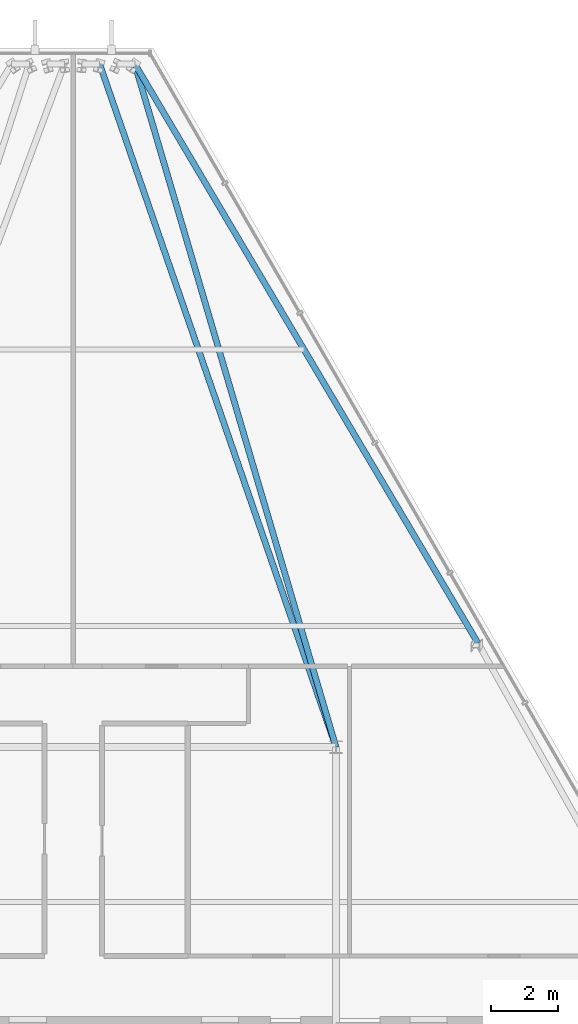
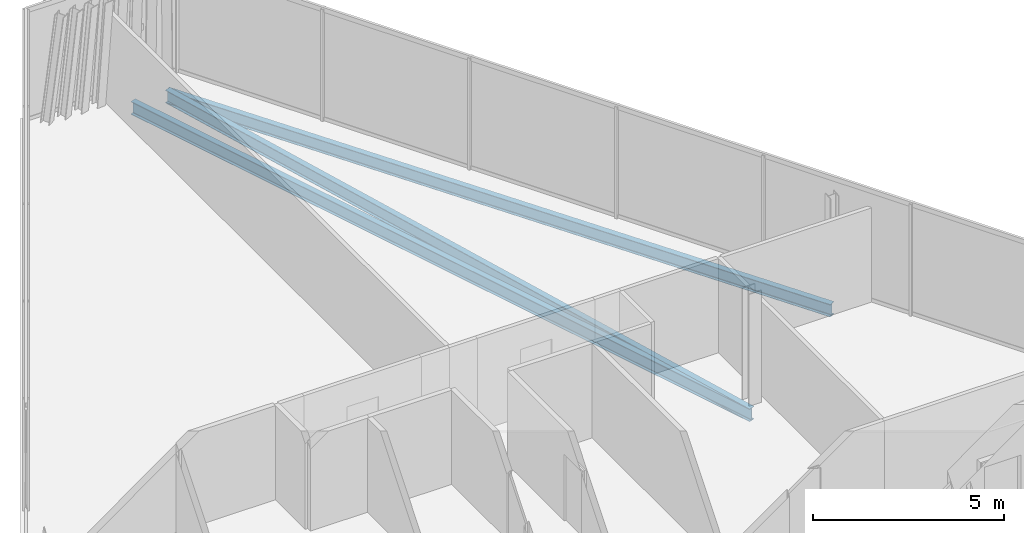
# One storey, part 18 of 32: 3 beams.
"""IFC4 building model written with IfcOpenShell, lengths in metres."""

import ifcopenshell
import ifcopenshell.guid

model = None  # the IFC model being written
_history = None  # IfcOwnerHistory: only IFC2X3 demands one
_inside = {}  # id of a spatial element -> (the spatial element, [elements in it])
_under = {}  # id of a project, library or spatial element -> (it, [spatial elements below it])
_declared = {}  # id of a project -> (the project, [libraries it declares])
_typed = {}  # id of a type object -> (the type object, [elements of that type])
_made_of = {}  # id of a material, layer set ... -> (it, [elements and type objects made of it])


def new_model(schema):
    """Start an empty IFC model of exactly this schema.

    Asked for "IFC4X3", IfcOpenShell would pick the latest addendum, in which some entities
    have other attributes; the version numbers below select the first issue.
    IFC2X3 requires an IfcOwnerHistory on every rooted entity: one is made here for all.
    """
    global model, _history
    if schema == "IFC4X3":
        model = ifcopenshell.file(schema_version=(4, 3, 0, 0))
    else:
        model = ifcopenshell.file(schema=schema)
    _inside.clear()
    _under.clear()
    _declared.clear()
    _typed.clear()
    _made_of.clear()
    _history = None
    if model.schema == "IFC2X3":
        org = make("IfcOrganization", Name="unknown")
        user = make(
            "IfcPersonAndOrganization",
            ThePerson=make("IfcPerson", FamilyName="unknown"),
            TheOrganization=org,
        )
        app = make(
            "IfcApplication",
            ApplicationDeveloper=org,
            Version="unknown",
            ApplicationFullName="unknown",
            ApplicationIdentifier="unknown",
        )
        _history = make(
            "IfcOwnerHistory",
            OwningUser=user,
            OwningApplication=app,
            ChangeAction="ADDED",
            CreationDate=0,
        )
    return model


def make(cls, **values):
    """One entity of the class cls with the attributes given. An attribute that is None is left unset."""
    return model.create_entity(
        cls, **{name: value for name, value in values.items() if value is not None}
    )


def rooted(cls, **values):
    """An entity with a GlobalId (a new one), such as an element, a storey or a relation."""
    return make(cls, GlobalId=ifcopenshell.guid.new(), OwnerHistory=_history, **values)


def si_unit(unit_type, name, prefix=None):
    """IfcSIUnit, for example si_unit("LENGTHUNIT", "METRE", prefix="MILLI")."""
    return make("IfcSIUnit", UnitType=unit_type, Prefix=prefix, Name=name)


def assignment(units):
    """IfcUnitAssignment: the units of a project."""
    return None if units is None else make("IfcUnitAssignment", Units=units)


def point(xyz):
    """IfcCartesianPoint."""
    return None if xyz is None else make("IfcCartesianPoint", Coordinates=xyz)


def direction(xyz):
    """IfcDirection."""
    return None if xyz is None else make("IfcDirection", DirectionRatios=xyz)


def frame(location, z_axis=None, x_axis=None):
    """IfcAxis2Placement3D, a coordinate frame: its origin and axes. An axis left out is left unset."""
    return make(
        "IfcAxis2Placement3D",
        Location=point(location),
        Axis=direction(z_axis),
        RefDirection=direction(x_axis),
    )


def frame_2d(location, x_axis=None):
    """IfcAxis2Placement2D, a coordinate frame in the plane: its origin and x axis."""
    return make(
        "IfcAxis2Placement2D", Location=point(location), RefDirection=direction(x_axis)
    )


def origin():
    """The frame at (0, 0, 0) with its axes left unset."""
    return frame((0.0, 0.0, 0.0))


def origin_2d():
    """The frame at (0, 0) in the plane with its x axis left unset."""
    return frame_2d((0.0, 0.0))


def place(relative_to, where):
    """IfcLocalPlacement: puts the frame where relative to a parent placement (None: the world)."""
    return make(
        "IfcLocalPlacement", PlacementRelTo=relative_to, RelativePlacement=where
    )


def context(
    kind, dimensions, precision=None, world=None, true_north=None, identifier=None
):
    """IfcGeometricRepresentationContext, for example the 3D "Model" context."""
    return make(
        "IfcGeometricRepresentationContext",
        ContextIdentifier=identifier,
        ContextType=kind,
        CoordinateSpaceDimension=dimensions,
        Precision=precision,
        WorldCoordinateSystem=world,
        TrueNorth=true_north,
    )


def subcontext(parent, identifier, kind, view, scale=None):
    """IfcGeometricRepresentationSubContext, for example "Body" below "Model"."""
    return make(
        "IfcGeometricRepresentationSubContext",
        ContextIdentifier=identifier,
        ContextType=kind,
        ParentContext=parent,
        TargetScale=scale,
        TargetView=view,
    )


def project(units=None, contexts=None):
    """IfcProject with its units and contexts."""
    return rooted(
        "IfcProject",
        Name="project",
        RepresentationContexts=contexts,
        UnitsInContext=assignment(units),
    )


def spatial(cls, under=None, at=None, **own):
    """A site, building, storey or space (cls), placed at a placement, below another one or the project."""
    s = rooted(cls, ObjectPlacement=at, **own)
    if under is not None:
        _under.setdefault(under.id(), (under, []))[1].append(s)
    return s


def profile(cls, at=None, kind="AREA", **sizes):
    """A parametric profile (cls). Its sizes go by their IFC names, for example OverallWidth=200.0."""
    return make(cls, ProfileType=kind, Position=at, **sizes)


def i_section(**sizes):
    """IfcIShapeProfileDef."""
    return profile("IfcIShapeProfileDef", **sizes)


def extrude(swept, where, along, depth):
    """IfcExtrudedAreaSolid: the profile swept, set in the frame where, extruded along a direction by depth."""
    return make(
        "IfcExtrudedAreaSolid",
        SweptArea=swept,
        Position=where,
        ExtrudedDirection=direction(along),
        Depth=depth,
    )


def shape(context_of_items, identifier, shape_type, items):
    """IfcShapeRepresentation: the items that make up one representation, for example the "Body"."""
    return make(
        "IfcShapeRepresentation",
        ContextOfItems=context_of_items,
        RepresentationIdentifier=identifier,
        RepresentationType=shape_type,
        Items=items,
    )


def material(Name=None, Category=None):
    """IfcMaterial."""
    return make("IfcMaterial", Name=Name, Category=Category)


def material_profile(
    of_material, cross_section, Name=None, Category=None, Priority=None
):
    """IfcMaterialProfile: a cross section and its material."""
    return make(
        "IfcMaterialProfile",
        Name=Name,
        Material=of_material,
        Profile=cross_section,
        Priority=Priority,
        Category=Category,
    )


def profile_set(profiles, Name=None, composite=None):
    """IfcMaterialProfileSet."""
    return make(
        "IfcMaterialProfileSet",
        Name=Name,
        MaterialProfiles=profiles,
        CompositeProfile=composite,
    )


def made_of(thing, what):
    """Note that an element or type object is made of a material, layer set ...; save() writes the relation."""
    if what is not None:
        _made_of.setdefault(what.id(), (what, []))[1].append(thing)
    return thing


def type_object(cls, material=None, **own):
    """A type object (cls), such as IfcWallType, which elements share."""
    return made_of(rooted(cls, **own), material)


def element(
    cls,
    number,
    at=None,
    inside=None,
    cuts=None,
    type_object=None,
    material=None,
    context=None,
    identifier="Body",
    shape_type=None,
    held_by="IfcProductDefinitionShape",
    body=None,
    shapes=None,
    **own,
):
    """One element of the class cls, such as IfcWall. Its Tag is "e" and its number.

    at: its placement. inside: the storey or other place that contains it. cuts: it is an
    opening in that element (IfcRelVoidsElement). A single representation is given by context,
    identifier, shape_type and body (its items); several are given by shapes. held_by: the class
    of the entity that holds the representations. save() writes the other relations.
    """
    e = rooted(cls, Tag="e%d" % number, ObjectPlacement=at, **own)
    if body is not None:
        shapes = [shape(context, identifier, shape_type, body)]
    if shapes is not None:
        e.Representation = make(held_by, Representations=shapes)
    if inside is not None:
        _inside.setdefault(inside.id(), (inside, []))[1].append(e)
    if cuts is not None:
        rooted(
            "IfcRelVoidsElement", RelatingBuildingElement=cuts, RelatedOpeningElement=e
        )
    if type_object is not None:
        _typed.setdefault(type_object.id(), (type_object, []))[1].append(e)
    return made_of(e, material)


def aggregate(whole, parts):
    """IfcRelAggregates: a whole, such as a stair, and the parts it consists of."""
    return rooted("IfcRelAggregates", RelatingObject=whole, RelatedObjects=parts)


def save(model, path):
    """Write the relations noted so far, then the file.

    IfcRelAggregates (storeys below a building ...), IfcRelContainedInSpatialStructure (elements
    in a storey), IfcRelDefinesByType, IfcRelAssociatesMaterial and IfcRelDeclares: one each for
    every whole, place, type object, material and project.
    """
    for whole, parts in _under.values():
        aggregate(whole, parts)
    for where, things in _inside.values():
        rooted(
            "IfcRelContainedInSpatialStructure",
            RelatedElements=things,
            RelatingStructure=where,
        )
    for kind, things in _typed.values():
        rooted("IfcRelDefinesByType", RelatedObjects=things, RelatingType=kind)
    for what, things in _made_of.values():
        rooted("IfcRelAssociatesMaterial", RelatedObjects=things, RelatingMaterial=what)
    for by, libraries in _declared.values():
        rooted("IfcRelDeclares", RelatingContext=by, RelatedDefinitions=libraries)
    model.write(path)


model = new_model("IFC4")

# Units and contexts
model_context = context("Model", 3, precision=1e-05, world=origin(), true_north=direction((0.0, 1.0)))
body_context = subcontext(model_context, "Body", "Model", "MODEL_VIEW")
ifc_project = project(units=[si_unit("LENGTHUNIT", "METRE"), si_unit("AREAUNIT", "SQUARE_METRE"), si_unit("VOLUMEUNIT", "CUBIC_METRE"), si_unit("PLANEANGLEUNIT", "RADIAN"), si_unit("MASSUNIT", "GRAM", prefix="KILO")], contexts=[model_context])

# Site, building, storey
site_placement = place(None, origin())
site = spatial("IfcSite", under=ifc_project, at=site_placement, CompositionType="ELEMENT")
building_placement = place(site_placement, origin())
building = spatial("IfcBuilding", under=site, at=building_placement, Name="Ndaravel Arena Tower", CompositionType="ELEMENT")
storey_placement = place(building_placement, frame((0.0, 0.0, 290.89990234375)))
storey = spatial("IfcBuildingStorey", under=building, at=storey_placement, Name="L71", CompositionType="ELEMENT", Elevation=290.89990234375)

# Beams
ifc_material_1 = material(Name="Steel S355", Category="steel")
ifc_material_profile_1 = material_profile(ifc_material_1, i_section(OverallWidth=0.1787109375, OverallDepth=0.409423828125, WebThickness=0.0087890625, FlangeThickness=0.014404296875, FilletRadius=0.01025390625, at=origin_2d()), Name="UB 406x178x67")
ifc_profile_set_1 = profile_set([ifc_material_profile_1], Name="Steel S355")
beam_type_1 = type_object("IfcBeamType", Name="BM-GIRD-UB406", PredefinedType="BEAM", material=ifc_profile_set_1)
beam_1_placement = place(storey_placement, frame((43.82666015625, 43.477783203125, -0.424560546875), z_axis=(0.282572099201, -0.959246062673, 0.0), x_axis=(0.959246062673, 0.282572099201, 0.0)))
element("IfcBeam", 1, at=beam_1_placement, inside=storey, type_object=beam_type_1, Name="L71 Radial Floor Girder FG-11", PredefinedType="BEAM", context=body_context, shape_type="SweptSolid", body=[
    extrude(i_section(OverallWidth=0.1787109375, OverallDepth=0.409423828125, WebThickness=0.0087890625, FlangeThickness=0.014404296875, FilletRadius=0.01025390625, at=origin_2d()), origin(), (0.0, 0.0, 1.0), 21.139404296875),
])
beam_2_placement = place(storey_placement, frame((42.782958984375, 43.477783203125, -0.424560546875), z_axis=(0.327020682305, -0.945017181508, 0.0), x_axis=(0.945017181508, 0.327020682305, 0.0)))
element("IfcBeam", 2, at=beam_2_placement, inside=storey, type_object=beam_type_1, Name="L71 Radial Floor Girder FG-13", PredefinedType="BEAM", context=body_context, shape_type="SweptSolid", body=[
    extrude(i_section(OverallWidth=0.1787109375, OverallDepth=0.409423828125, WebThickness=0.0087890625, FlangeThickness=0.014404296875, FilletRadius=0.01025390625, at=origin_2d()), origin(), (0.0, 0.0, 1.0), 21.45751953125),
])
ifc_material_2 = material(Name="Steel S355", Category="steel")
ifc_material_profile_2 = material_profile(ifc_material_2, i_section(OverallWidth=0.179931640625, OverallDepth=0.39990234375, WebThickness=0.008544921875, FlangeThickness=0.013427734375, FilletRadius=0.02099609375, at=origin_2d()), Name="IPE 400")
ifc_profile_set_2 = profile_set([ifc_material_profile_2], Name="Steel S355")
beam_type_2 = type_object("IfcBeamType", Name="BM-SPAN-IPE400", PredefinedType="SPANDREL", material=ifc_profile_set_2)
beam_3_placement = place(storey_placement, frame((54.0126953125, 26.286865234375, -0.419921875), z_axis=(-0.509758851442, 0.860317332952, 0.0), x_axis=(-0.860317332952, -0.509758851442, 0.0)))
element("IfcBeam", 3, at=beam_3_placement, inside=storey, type_object=beam_type_2, Name="L71 Perimeter Spandrel Beam SP-10", PredefinedType="SPANDREL", context=body_context, shape_type="SweptSolid", body=[
    extrude(i_section(OverallWidth=0.179931640625, OverallDepth=0.39990234375, WebThickness=0.008544921875, FlangeThickness=0.013427734375, FilletRadius=0.02099609375, at=origin_2d()), origin(), (0.0, 0.0, 1.0), 19.982177734375),
])

save(model, "model.ifc")
